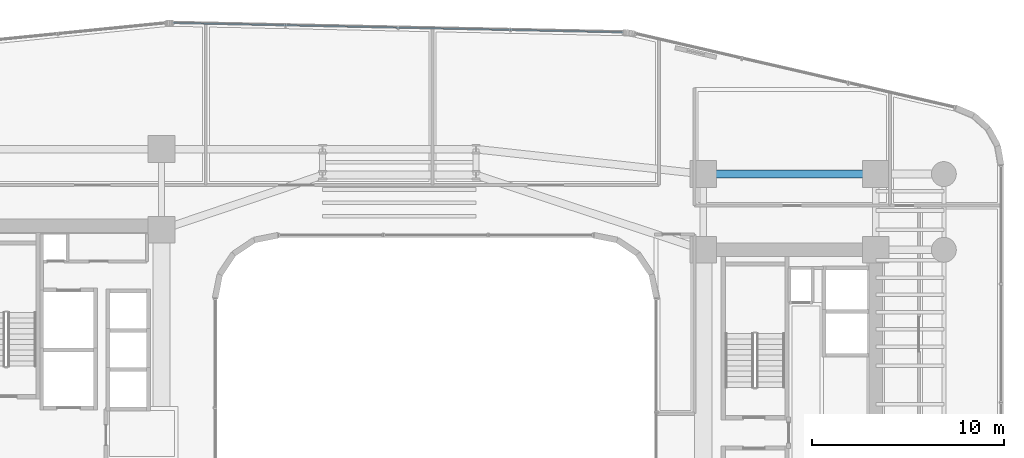
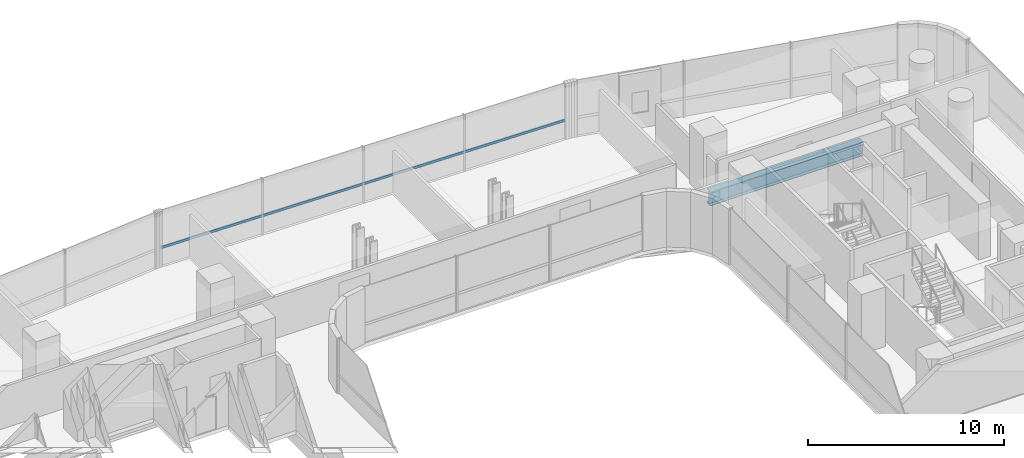
# One storey, part 24 of 40: 1 beam, 1 member, 1 element without a shape of its own.
"""IFC4 building model written with IfcOpenShell, lengths in metres."""

import ifcopenshell
import ifcopenshell.guid

model = None  # the IFC model being written
_history = None  # IfcOwnerHistory: only IFC2X3 demands one
_inside = {}  # id of a spatial element -> (the spatial element, [elements in it])
_under = {}  # id of a project, library or spatial element -> (it, [spatial elements below it])
_declared = {}  # id of a project -> (the project, [libraries it declares])
_typed = {}  # id of a type object -> (the type object, [elements of that type])
_made_of = {}  # id of a material, layer set ... -> (it, [elements and type objects made of it])


def new_model(schema):
    """Start an empty IFC model of exactly this schema.

    Asked for "IFC4X3", IfcOpenShell would pick the latest addendum, in which some entities
    have other attributes; the version numbers below select the first issue.
    IFC2X3 requires an IfcOwnerHistory on every rooted entity: one is made here for all.
    """
    global model, _history
    if schema == "IFC4X3":
        model = ifcopenshell.file(schema_version=(4, 3, 0, 0))
    else:
        model = ifcopenshell.file(schema=schema)
    _inside.clear()
    _under.clear()
    _declared.clear()
    _typed.clear()
    _made_of.clear()
    _history = None
    if model.schema == "IFC2X3":
        org = make("IfcOrganization", Name="unknown")
        user = make(
            "IfcPersonAndOrganization",
            ThePerson=make("IfcPerson", FamilyName="unknown"),
            TheOrganization=org,
        )
        app = make(
            "IfcApplication",
            ApplicationDeveloper=org,
            Version="unknown",
            ApplicationFullName="unknown",
            ApplicationIdentifier="unknown",
        )
        _history = make(
            "IfcOwnerHistory",
            OwningUser=user,
            OwningApplication=app,
            ChangeAction="ADDED",
            CreationDate=0,
        )
    return model


def make(cls, **values):
    """One entity of the class cls with the attributes given. An attribute that is None is left unset."""
    return model.create_entity(
        cls, **{name: value for name, value in values.items() if value is not None}
    )


def rooted(cls, **values):
    """An entity with a GlobalId (a new one), such as an element, a storey or a relation."""
    return make(cls, GlobalId=ifcopenshell.guid.new(), OwnerHistory=_history, **values)


def si_unit(unit_type, name, prefix=None):
    """IfcSIUnit, for example si_unit("LENGTHUNIT", "METRE", prefix="MILLI")."""
    return make("IfcSIUnit", UnitType=unit_type, Prefix=prefix, Name=name)


def assignment(units):
    """IfcUnitAssignment: the units of a project."""
    return None if units is None else make("IfcUnitAssignment", Units=units)


def point(xyz):
    """IfcCartesianPoint."""
    return None if xyz is None else make("IfcCartesianPoint", Coordinates=xyz)


def direction(xyz):
    """IfcDirection."""
    return None if xyz is None else make("IfcDirection", DirectionRatios=xyz)


def frame(location, z_axis=None, x_axis=None):
    """IfcAxis2Placement3D, a coordinate frame: its origin and axes. An axis left out is left unset."""
    return make(
        "IfcAxis2Placement3D",
        Location=point(location),
        Axis=direction(z_axis),
        RefDirection=direction(x_axis),
    )


def frame_2d(location, x_axis=None):
    """IfcAxis2Placement2D, a coordinate frame in the plane: its origin and x axis."""
    return make(
        "IfcAxis2Placement2D", Location=point(location), RefDirection=direction(x_axis)
    )


def origin():
    """The frame at (0, 0, 0) with its axes left unset."""
    return frame((0.0, 0.0, 0.0))


def origin_2d():
    """The frame at (0, 0) in the plane with its x axis left unset."""
    return frame_2d((0.0, 0.0))


def place(relative_to, where):
    """IfcLocalPlacement: puts the frame where relative to a parent placement (None: the world)."""
    return make(
        "IfcLocalPlacement", PlacementRelTo=relative_to, RelativePlacement=where
    )


def context(
    kind, dimensions, precision=None, world=None, true_north=None, identifier=None
):
    """IfcGeometricRepresentationContext, for example the 3D "Model" context."""
    return make(
        "IfcGeometricRepresentationContext",
        ContextIdentifier=identifier,
        ContextType=kind,
        CoordinateSpaceDimension=dimensions,
        Precision=precision,
        WorldCoordinateSystem=world,
        TrueNorth=true_north,
    )


def subcontext(parent, identifier, kind, view, scale=None):
    """IfcGeometricRepresentationSubContext, for example "Body" below "Model"."""
    return make(
        "IfcGeometricRepresentationSubContext",
        ContextIdentifier=identifier,
        ContextType=kind,
        ParentContext=parent,
        TargetScale=scale,
        TargetView=view,
    )


def project(units=None, contexts=None):
    """IfcProject with its units and contexts."""
    return rooted(
        "IfcProject",
        Name="project",
        RepresentationContexts=contexts,
        UnitsInContext=assignment(units),
    )


def spatial(cls, under=None, at=None, **own):
    """A site, building, storey or space (cls), placed at a placement, below another one or the project."""
    s = rooted(cls, ObjectPlacement=at, **own)
    if under is not None:
        _under.setdefault(under.id(), (under, []))[1].append(s)
    return s


def profile(cls, at=None, kind="AREA", **sizes):
    """A parametric profile (cls). Its sizes go by their IFC names, for example OverallWidth=200.0."""
    return make(cls, ProfileType=kind, Position=at, **sizes)


def hollow_rectangle(**sizes):
    """IfcRectangleHollowProfileDef."""
    return profile("IfcRectangleHollowProfileDef", **sizes)


def i_section(**sizes):
    """IfcIShapeProfileDef."""
    return profile("IfcIShapeProfileDef", **sizes)


def extrude(swept, where, along, depth):
    """IfcExtrudedAreaSolid: the profile swept, set in the frame where, extruded along a direction by depth."""
    return make(
        "IfcExtrudedAreaSolid",
        SweptArea=swept,
        Position=where,
        ExtrudedDirection=direction(along),
        Depth=depth,
    )


def shape(context_of_items, identifier, shape_type, items):
    """IfcShapeRepresentation: the items that make up one representation, for example the "Body"."""
    return make(
        "IfcShapeRepresentation",
        ContextOfItems=context_of_items,
        RepresentationIdentifier=identifier,
        RepresentationType=shape_type,
        Items=items,
    )


def source(mapping_origin, context_of_items, identifier, shape_type, items):
    """IfcRepresentationMap: a shape defined once, which mapped items show again and again."""
    return make(
        "IfcRepresentationMap",
        MappingOrigin=mapping_origin,
        MappedRepresentation=shape(context_of_items, identifier, shape_type, items),
    )


def transform(
    local_origin,
    x_axis=None,
    y_axis=None,
    z_axis=None,
    scale=None,
    scale2=None,
    scale3=None,
    uniform=True,
):
    """IfcCartesianTransformationOperator3D, or its non-uniform kind. x_axis, y_axis, z_axis: its Axis1, 2, 3."""
    if uniform:
        return make(
            "IfcCartesianTransformationOperator3D",
            Axis1=direction(x_axis),
            Axis2=direction(y_axis),
            LocalOrigin=point(local_origin),
            Scale=scale,
            Axis3=direction(z_axis),
        )
    return make(
        "IfcCartesianTransformationOperator3DnonUniform",
        Axis1=direction(x_axis),
        Axis2=direction(y_axis),
        LocalOrigin=point(local_origin),
        Scale=scale,
        Axis3=direction(z_axis),
        Scale2=scale2,
        Scale3=scale3,
    )


def mapped(mapping_source, mapping_target):
    """IfcMappedItem: shows the shape of a source again, moved by a transform."""
    return make(
        "IfcMappedItem", MappingSource=mapping_source, MappingTarget=mapping_target
    )


def material(Name=None, Category=None):
    """IfcMaterial."""
    return make("IfcMaterial", Name=Name, Category=Category)


def material_profile(
    of_material, cross_section, Name=None, Category=None, Priority=None
):
    """IfcMaterialProfile: a cross section and its material."""
    return make(
        "IfcMaterialProfile",
        Name=Name,
        Material=of_material,
        Profile=cross_section,
        Priority=Priority,
        Category=Category,
    )


def profile_set(profiles, Name=None, composite=None):
    """IfcMaterialProfileSet."""
    return make(
        "IfcMaterialProfileSet",
        Name=Name,
        MaterialProfiles=profiles,
        CompositeProfile=composite,
    )


def made_of(thing, what):
    """Note that an element or type object is made of a material, layer set ...; save() writes the relation."""
    if what is not None:
        _made_of.setdefault(what.id(), (what, []))[1].append(thing)
    return thing


def type_object(cls, material=None, **own):
    """A type object (cls), such as IfcWallType, which elements share."""
    return made_of(rooted(cls, **own), material)


def element(
    cls,
    number,
    at=None,
    inside=None,
    cuts=None,
    type_object=None,
    material=None,
    context=None,
    identifier="Body",
    shape_type=None,
    held_by="IfcProductDefinitionShape",
    body=None,
    shapes=None,
    **own,
):
    """One element of the class cls, such as IfcWall. Its Tag is "e" and its number.

    at: its placement. inside: the storey or other place that contains it. cuts: it is an
    opening in that element (IfcRelVoidsElement). A single representation is given by context,
    identifier, shape_type and body (its items); several are given by shapes. held_by: the class
    of the entity that holds the representations. save() writes the other relations.
    """
    e = rooted(cls, Tag="e%d" % number, ObjectPlacement=at, **own)
    if body is not None:
        shapes = [shape(context, identifier, shape_type, body)]
    if shapes is not None:
        e.Representation = make(held_by, Representations=shapes)
    if inside is not None:
        _inside.setdefault(inside.id(), (inside, []))[1].append(e)
    if cuts is not None:
        rooted(
            "IfcRelVoidsElement", RelatingBuildingElement=cuts, RelatedOpeningElement=e
        )
    if type_object is not None:
        _typed.setdefault(type_object.id(), (type_object, []))[1].append(e)
    return made_of(e, material)


def aggregate(whole, parts):
    """IfcRelAggregates: a whole, such as a stair, and the parts it consists of."""
    return rooted("IfcRelAggregates", RelatingObject=whole, RelatedObjects=parts)


def save(model, path):
    """Write the relations noted so far, then the file.

    IfcRelAggregates (storeys below a building ...), IfcRelContainedInSpatialStructure (elements
    in a storey), IfcRelDefinesByType, IfcRelAssociatesMaterial and IfcRelDeclares: one each for
    every whole, place, type object, material and project.
    """
    for whole, parts in _under.values():
        aggregate(whole, parts)
    for where, things in _inside.values():
        rooted(
            "IfcRelContainedInSpatialStructure",
            RelatedElements=things,
            RelatingStructure=where,
        )
    for kind, things in _typed.values():
        rooted("IfcRelDefinesByType", RelatedObjects=things, RelatingType=kind)
    for what, things in _made_of.values():
        rooted("IfcRelAssociatesMaterial", RelatedObjects=things, RelatingMaterial=what)
    for by, libraries in _declared.values():
        rooted("IfcRelDeclares", RelatingContext=by, RelatedDefinitions=libraries)
    model.write(path)


model = new_model("IFC4")

# Units and contexts
model_context = context("Model", 3, precision=1e-05, world=origin(), true_north=direction((0.0, 1.0)))
body_context = subcontext(model_context, "Body", "Model", "MODEL_VIEW")
ifc_project = project(units=[si_unit("LENGTHUNIT", "METRE"), si_unit("AREAUNIT", "SQUARE_METRE"), si_unit("VOLUMEUNIT", "CUBIC_METRE"), si_unit("PLANEANGLEUNIT", "RADIAN"), si_unit("MASSUNIT", "GRAM", prefix="KILO")], contexts=[model_context])

# Site, building, storey
site_placement = place(None, origin())
site = spatial("IfcSite", under=ifc_project, at=site_placement, CompositionType="ELEMENT")
building_placement = place(site_placement, origin())
building = spatial("IfcBuilding", under=site, at=building_placement, Name="Valdorenza Pilgrim Sanctuary Tower", CompositionType="ELEMENT")
storey_placement = place(building_placement, frame((0.0, 0.0, 51.89990234375)))
storey = spatial("IfcBuildingStorey", under=building, at=storey_placement, Name="L12", CompositionType="ELEMENT", Elevation=51.89990234375)

# Beam
ifc_material_1 = material(Name="Steel ASTM A992 Grade 50", Category="steel")
ifc_material_profile_1 = material_profile(ifc_material_1, i_section(OverallWidth=0.39990234375, OverallDepth=0.862060546875, WebThickness=0.019775390625, FlangeThickness=0.032470703125, at=origin_2d()), Name="W33X221")
ifc_profile_set_1 = profile_set([ifc_material_profile_1], Name="Steel ASTM A992 Grade 50")
beam_type = type_object("IfcBeamType", Name="STR-BM-GRD-W33", PredefinedType="BEAM", material=ifc_profile_set_1)
shared_shape_1 = source(origin(), body_context, "Body", "SweptSolid", [
    extrude(i_section(OverallWidth=0.39990234375, OverallDepth=0.862060546875, WebThickness=0.019775390625, FlangeThickness=0.032470703125, at=origin_2d()), origin(), (0.0, 0.0, 1.0), 9.0),
])
beam_placement = place(storey_placement, frame((15.85009765625, 13.5, -0.6708984375), z_axis=(1.0, 0.0, 0.0), x_axis=(0.0, 1.0, 0.0)))
element("IfcBeam", 1, at=beam_placement, inside=storey, type_object=beam_type, Name="L12 Floor Girder CB-XC-N2", PredefinedType="BEAM", context=body_context, shape_type="MappedRepresentation", body=[
    mapped(shared_shape_1, transform((0.0, 0.0, 0.0), x_axis=(1.0, 0.0, 0.0), y_axis=(0.0, 1.0, 0.0), z_axis=(0.0, 0.0, 1.0), scale=1.0)),
])

# Curtain wall, member
ifc_material_2 = material(Name="Curtain-wall IGU glazing", Category="glass")
curtain_wall_type = type_object("IfcCurtainWallType", Name="CW-SYS-02", PredefinedType="NOTDEFINED", material=ifc_material_2)
curtain_wall_placement = place(storey_placement, origin())
curtain_wall = element("IfcCurtainWall", 2, at=curtain_wall_placement, inside=storey, type_object=curtain_wall_type, Name="L12 Curtain Wall CW-L12-1-11", PredefinedType="NOTDEFINED")
ifc_material_3 = material(Name="Anodised aluminium AW-6060", Category="aluminium")
ifc_material_profile_2 = material_profile(ifc_material_3, hollow_rectangle(XDim=0.074951171875, YDim=0.14990234375, WallThickness=0.00390625, at=origin_2d()), Name="ALU-T 150x75x4")
ifc_profile_set_2 = profile_set([ifc_material_profile_2], Name="Anodised aluminium AW-6060")
member_type = type_object("IfcMemberType", Name="CW-TRN-02", PredefinedType="USERDEFINED", material=ifc_profile_set_2)
shared_shape_2 = source(origin(), body_context, "Body", "SweptSolid", [
    extrude(hollow_rectangle(XDim=0.074951171875, YDim=0.14990234375, WallThickness=0.00390625, at=origin_2d()), origin(), (0.0, 0.0, 1.0), 23.479248046875),
])
member_placement = place(storey_placement, frame((-11.808349609375, 21.385986328125, 1.1201171875), z_axis=(0.999783083794, -0.020827514476, 0.0), x_axis=(0.020827514476, 0.999783083794, 0.0)))
member = element("IfcMember", 3, at=member_placement, type_object=member_type, Name="CW-L12-1-11 Transom 1", ObjectType="TRANSOM", PredefinedType="USERDEFINED", context=body_context, shape_type="MappedRepresentation", body=[
    mapped(shared_shape_2, transform((0.0, 0.0, 0.0), x_axis=(1.0, 0.0, 0.0), y_axis=(0.0, 1.0, 0.0), z_axis=(0.0, 0.0, 1.0), scale=1.0)),
])
aggregate(curtain_wall, [member])

save(model, "model.ifc")
